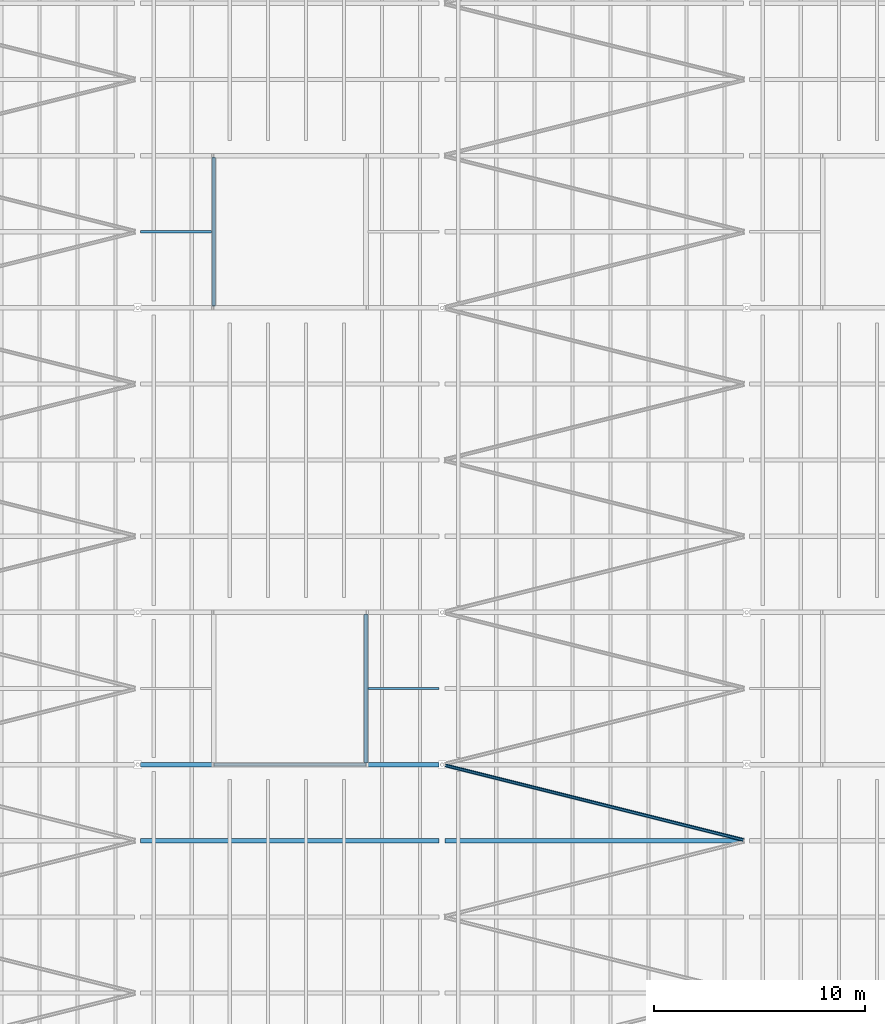
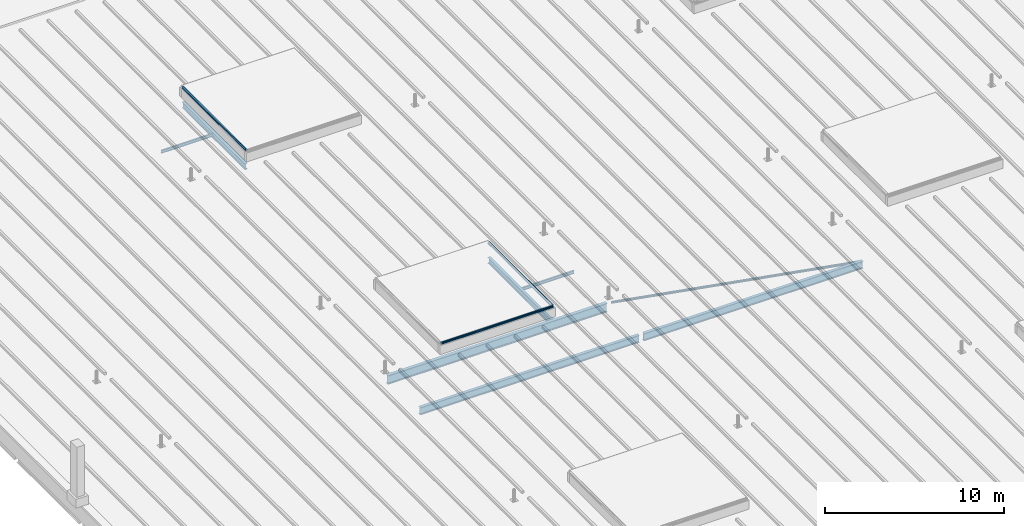
# One storey, part 24 of 120: 7 beams, 4 members.
"""IFC4 building model written with IfcOpenShell, lengths in metres."""

from ifc_helpers import new_model, si_unit, direction, frame, origin, origin_2d, place, context, subcontext, project, spatial, hollow_circle, i_section, extrude, material, material_profile, profile_set, type_object, element, save


model = new_model("IFC4")

# Units and contexts
model_context = context("Model", 3, precision=1e-05, world=origin(), true_north=direction((0.0, 1.0)))
body_context = subcontext(model_context, "Body", "Model", "MODEL_VIEW")
ifc_project = project(units=[si_unit("LENGTHUNIT", "METRE"), si_unit("AREAUNIT", "SQUARE_METRE"), si_unit("VOLUMEUNIT", "CUBIC_METRE"), si_unit("PLANEANGLEUNIT", "RADIAN"), si_unit("MASSUNIT", "GRAM", prefix="KILO")], contexts=[model_context])

# Site, building, storey
site_placement = place(None, origin())
site = spatial("IfcSite", under=ifc_project, at=site_placement, CompositionType="ELEMENT")
building_placement = place(site_placement, origin())
building = spatial("IfcBuilding", under=site, at=building_placement, Name="Kupolbacken Congress Centre", CompositionType="ELEMENT")
storey_placement = place(building_placement, frame((0.0, 0.0, 21.60009765625)))
storey = spatial("IfcBuildingStorey", under=building, at=storey_placement, Name="L06", CompositionType="ELEMENT", Elevation=21.60009765625)

# Beams
ifc_material_1 = material(Name="Steel S355", Category="steel")
ifc_material_profile_1 = material_profile(ifc_material_1, i_section(OverallWidth=0.10009765625, OverallDepth=0.199951171875, WebThickness=0.005615234375, FlangeThickness=0.008544921875, FilletRadius=0.011962890625, at=origin_2d()), Name="IPE 200")
ifc_profile_set_1 = profile_set([ifc_material_profile_1], Name="Steel S355")
beam_type_1 = type_object("IfcBeamType", Name="B01 beam IPE 200", PredefinedType="BEAM", material=ifc_profile_set_1)
for number, where, z_axis, x_axis, name in (
    (1, (118.89990234375, 79.199951171875, -0.10009765625), (1.0, 0.0, 0.0), (0.0, 1.0, 0.0), "HR/P10-02-1"),
    (2, (108.14501953125, 100.800048828125, -0.10009765625), (1.0, 0.0, 0.0), (0.0, 1.0, 0.0), "HR/P16-02-0"),
):
    element("IfcBeam", number, at=place(storey_placement, frame(where, z_axis=z_axis, x_axis=x_axis)), inside=storey, type_object=beam_type_1, Name=name, PredefinedType="BEAM", context=body_context, shape_type="SweptSolid", body=[
        extrude(i_section(OverallWidth=0.10009765625, OverallDepth=0.199951171875, WebThickness=0.005615234375, FlangeThickness=0.008544921875, FilletRadius=0.011962890625, at=origin_2d()), origin(), (0.0, 0.0, 1.0), 3.35498046875),
    ])
ifc_material_2 = material(Name="Steel S355", Category="steel")
ifc_material_profile_2 = material_profile(ifc_material_2, i_section(OverallWidth=0.179931640625, OverallDepth=0.39990234375, WebThickness=0.008544921875, FlangeThickness=0.013427734375, FilletRadius=0.02099609375, at=origin_2d()), Name="IPE 400")
ifc_profile_set_2 = profile_set([ifc_material_profile_2], Name="Steel S355")
beam_type_2 = type_object("IfcBeamType", Name="B07 beam IPE 400", PredefinedType="BEAM", material=ifc_profile_set_2)
for number, where, z_axis, x_axis, name in (
    (3, (118.800048828125, 75.699951171875, -0.2001953125), (0.0, 1.0, 0.0), (-1.0, 0.0, 0.0), "HR/CT2E"),
    (4, (111.60009765625, 97.300048828125, -0.2001953125), (0.0, 1.0, 0.0), (-1.0, 0.0, 0.0), "HR/CT3W"),
):
    element("IfcBeam", number, at=place(storey_placement, frame(where, z_axis=z_axis, x_axis=x_axis)), inside=storey, type_object=beam_type_2, Name=name, PredefinedType="BEAM", context=body_context, shape_type="SweptSolid", body=[
        extrude(i_section(OverallWidth=0.179931640625, OverallDepth=0.39990234375, WebThickness=0.008544921875, FlangeThickness=0.013427734375, FilletRadius=0.02099609375, at=origin_2d()), origin(), (0.0, 0.0, 1.0), 7.0),
    ])
ifc_material_3 = material(Name="Steel S355", Category="steel")
ifc_material_profile_3 = material_profile(ifc_material_3, i_section(OverallWidth=0.199951171875, OverallDepth=0.5, WebThickness=0.01025390625, FlangeThickness=0.01611328125, FilletRadius=0.02099609375, at=origin_2d()), Name="IPE 500")
ifc_profile_set_3 = profile_set([ifc_material_profile_3], Name="Steel S355")
beam_type_3 = type_object("IfcBeamType", Name="B09 beam IPE 500", PredefinedType="BEAM", material=ifc_profile_set_3)
beam_1_placement = place(storey_placement, frame((108.14501953125, 72.0, -0.25), z_axis=(1.0, 0.0, 0.0), x_axis=(0.0, 1.0, 0.0)))
element("IfcBeam", 5, at=beam_1_placement, inside=storey, type_object=beam_type_3, Name="HR/P08-02", PredefinedType="BEAM", context=body_context, shape_type="SweptSolid", body=[
    extrude(i_section(OverallWidth=0.199951171875, OverallDepth=0.5, WebThickness=0.01025390625, FlangeThickness=0.01611328125, FilletRadius=0.02099609375, at=origin_2d()), origin(), (0.0, 0.0, 1.0), 14.10986328125),
])
beam_2_placement = place(storey_placement, frame((122.544921875, 72.0, -0.25), z_axis=(1.0, 0.0, 0.0), x_axis=(0.0, 1.0, 0.0)))
element("IfcBeam", 6, at=beam_2_placement, inside=storey, type_object=beam_type_3, Name="HR/P08-03", PredefinedType="BEAM", context=body_context, shape_type="SweptSolid", body=[
    extrude(i_section(OverallWidth=0.199951171875, OverallDepth=0.5, WebThickness=0.01025390625, FlangeThickness=0.01611328125, FilletRadius=0.02099609375, at=origin_2d()), origin(), (0.0, 0.0, 1.0), 14.110107421875),
])
ifc_material_4 = material(Name="Steel S355", Category="steel")
ifc_material_profile_4 = material_profile(ifc_material_4, i_section(OverallWidth=0.219970703125, OverallDepth=0.60009765625, WebThickness=0.011962890625, FlangeThickness=0.01904296875, FilletRadius=0.02392578125, at=origin_2d()), Name="IPE 600")
ifc_profile_set_4 = profile_set([ifc_material_profile_4], Name="Steel S355")
beam_type_4 = type_object("IfcBeamType", Name="B11 beam IPE 600", PredefinedType="BEAM", material=ifc_profile_set_4)
beam_3_placement = place(storey_placement, frame((108.14501953125, 75.60009765625, -0.300048828125), z_axis=(1.0, 0.0, 0.0), x_axis=(0.0, 1.0, 0.0)))
element("IfcBeam", 7, at=beam_3_placement, inside=storey, type_object=beam_type_4, Name="HR/X09-02", PredefinedType="BEAM", context=body_context, shape_type="SweptSolid", body=[
    extrude(i_section(OverallWidth=0.219970703125, OverallDepth=0.60009765625, WebThickness=0.011962890625, FlangeThickness=0.01904296875, FilletRadius=0.02392578125, at=origin_2d()), origin(), (0.0, 0.0, 1.0), 14.10986328125),
])

# Members
ifc_material_5 = material(Name="Steel S355", Category="steel")
ifc_material_profile_5 = material_profile(ifc_material_5, hollow_circle(Radius=0.084228515625, WallThickness=0.008056640625, at=origin_2d()), Name="CHS 168.3 x 8")
ifc_profile_set_5 = profile_set([ifc_material_profile_5], Name="Steel S355")
member_type = type_object("IfcMemberType", Name="M21 brace CHS 168.3 x 8", PredefinedType="BRACE", material=ifc_profile_set_5)
member_1_placement = place(storey_placement, frame((136.659423828125, 72.03515625, -0.084228515625), z_axis=(-0.970140526498, 0.24254351949, 0.0), x_axis=(-0.24254351949, -0.970140526498, 0.0)))
element("IfcMember", 8, at=member_1_placement, inside=storey, type_object=member_type, Name="HR/RB/03-08", PredefinedType="BRACE", context=body_context, shape_type="SweptSolid", body=[
    extrude(hollow_circle(Radius=0.084228515625, WallThickness=0.008056640625, at=origin_2d()), origin(), (0.0, 0.0, 1.0), 14.55322265625),
])
member_2_placement = place(storey_placement, frame((111.60009765625, 75.60009765625, 0.944091796875), z_axis=(1.0, 0.0, 0.0), x_axis=(0.0, 1.0, 0.0)))
element("IfcMember", 9, at=member_2_placement, inside=storey, type_object=member_type, Name="RD/RL2/FS", PredefinedType="BRACE", context=body_context, shape_type="SweptSolid", body=[
    extrude(hollow_circle(Radius=0.084228515625, WallThickness=0.008056640625, at=origin_2d()), origin(), (0.0, 0.0, 1.0), 7.199951171875),
])
for number, where, z_axis, x_axis, name in (
    (10, (118.800048828125, 75.674072265625, 0.944091796875), (0.0, 1.0, 0.0), (-1.0, 0.0, 0.0), "RD/RL2/FE"),
    (11, (111.60009765625, 97.274169921875, 0.944091796875), (0.0, 1.0, 0.0), (-1.0, 0.0, 0.0), "RD/RL3/FW"),
):
    element("IfcMember", number, at=place(storey_placement, frame(where, z_axis=z_axis, x_axis=x_axis)), inside=storey, type_object=member_type, Name=name, PredefinedType="BRACE", context=body_context, shape_type="SweptSolid", body=[
        extrude(hollow_circle(Radius=0.084228515625, WallThickness=0.008056640625, at=origin_2d()), origin(), (0.0, 0.0, 1.0), 7.0517578125),
    ])

save(model, "model.ifc")
